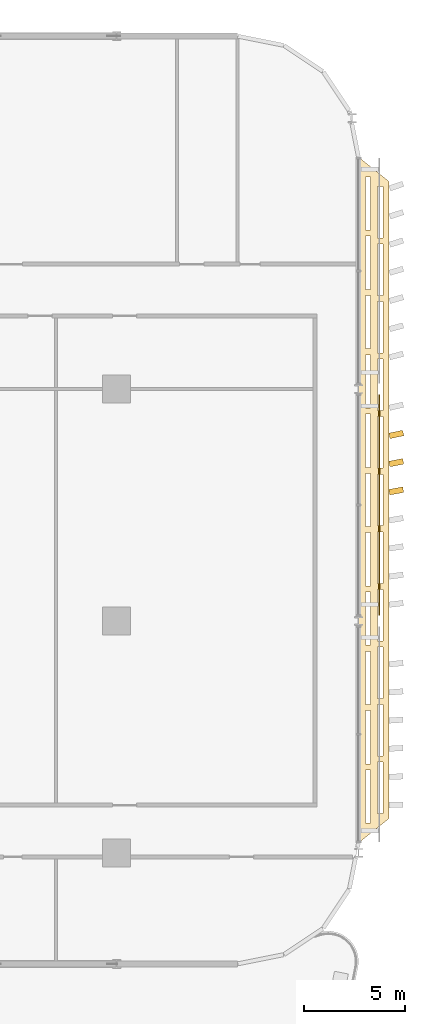
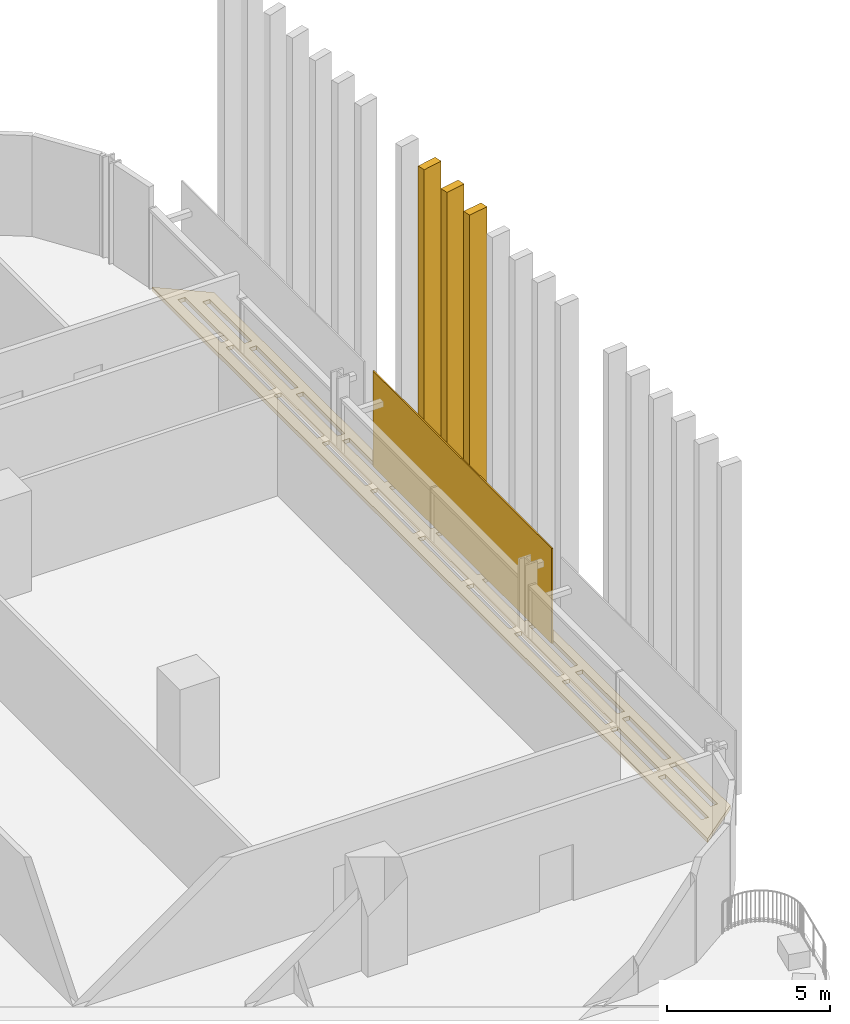
# One storey, part 29 of 31: 5 coverings.
"""IFC4 building model written with IfcOpenShell, lengths in metres."""

from ifc_helpers import new_model, si_unit, direction, frame, origin, origin_2d, place, context, subcontext, project, spatial, polyline, rectangle, outline, extrude, material, layer, layer_set, type_object, element, save


model = new_model("IFC4")

# Units and contexts
model_context = context("Model", 3, precision=1e-05, world=origin(), true_north=direction((0.0, 1.0)))
body_context = subcontext(model_context, "Body", "Model", "MODEL_VIEW")
ifc_project = project(units=[si_unit("LENGTHUNIT", "METRE"), si_unit("AREAUNIT", "SQUARE_METRE"), si_unit("VOLUMEUNIT", "CUBIC_METRE"), si_unit("PLANEANGLEUNIT", "RADIAN"), si_unit("MASSUNIT", "GRAM", prefix="KILO")], contexts=[model_context])

# Site, building, storey
site_placement = place(None, origin())
site = spatial("IfcSite", under=ifc_project, at=site_placement, CompositionType="ELEMENT")
building_placement = place(site_placement, origin())
building = spatial("IfcBuilding", under=site, at=building_placement, Name="Mahtab Terrace Research Tower", CompositionType="ELEMENT")
storey_placement = place(building_placement, frame((0.0, 0.0, 84.800048828125)))
storey = spatial("IfcBuildingStorey", under=building, at=storey_placement, Name="L19", CompositionType="ELEMENT", Elevation=84.800048828125)

# Coverings
ifc_material_1 = material(Name="Black anodised aluminium", Category="aluminium")
ifc_layer_1 = layer(ifc_material_1, 0.14990234375)
ifc_layer_set_1 = layer_set([ifc_layer_1], Name="Horizontal sunshade band")
covering_type_1 = type_object("IfcCoveringType", Name="Horizontal sunshade band", PredefinedType="CLADDING", material=ifc_layer_set_1)
covering_1_placement = place(storey_placement, frame((0.0, 0.0, -0.150146484375)))
element("IfcCovering", 1, at=covering_1_placement, inside=storey, type_object=covering_type_1, Name="Sunshade band L19 36", PredefinedType="CLADDING", context=body_context, shape_type="SweptSolid", body=[
    extrude(outline(polyline([(54.0, -11.0), (54.0, 23.0), (55.5, 21.800048828125), (55.5, -9.800048828125), (54.0, -11.0)]), holes=[polyline([(54.35009765625, -10.02001953125), (54.35009765625, -7.3798828125), (54.60009765625, -7.3798828125), (54.60009765625, -10.02001953125), (54.35009765625, -10.02001953125)]), polyline([(54.35009765625, -7.080078125), (54.35009765625, -4.43994140625), (54.60009765625, -4.43994140625), (54.60009765625, -7.080078125), (54.35009765625, -7.080078125)]), polyline([(54.35009765625, -4.139892578125), (54.35009765625, -1.5), (54.60009765625, -1.5), (54.60009765625, -4.139892578125), (54.35009765625, -4.139892578125)]), polyline([(54.35009765625, -1.199951171875), (54.35009765625, 1.43994140625), (54.60009765625, 1.43994140625), (54.60009765625, -1.199951171875), (54.35009765625, -1.199951171875)]), polyline([(54.35009765625, 1.739990234375), (54.35009765625, 4.3798828125), (54.60009765625, 4.3798828125), (54.60009765625, 1.739990234375), (54.35009765625, 1.739990234375)]), polyline([(54.35009765625, 4.679931640625), (54.35009765625, 7.320068359375), (54.60009765625, 7.320068359375), (54.60009765625, 4.679931640625), (54.35009765625, 4.679931640625)]), polyline([(54.35009765625, 7.6201171875), (54.35009765625, 10.260009765625), (54.60009765625, 10.260009765625), (54.60009765625, 7.6201171875), (54.35009765625, 7.6201171875)]), polyline([(54.35009765625, 10.56005859375), (54.35009765625, 13.199951171875), (54.60009765625, 13.199951171875), (54.60009765625, 10.56005859375), (54.35009765625, 10.56005859375)]), polyline([(54.35009765625, 13.5), (54.35009765625, 16.139892578125), (54.60009765625, 16.139892578125), (54.60009765625, 13.5), (54.35009765625, 13.5)]), polyline([(54.35009765625, 16.43994140625), (54.35009765625, 19.080078125), (54.60009765625, 19.080078125), (54.60009765625, 16.43994140625), (54.35009765625, 16.43994140625)]), polyline([(54.35009765625, 19.3798828125), (54.35009765625, 22.02001953125), (54.60009765625, 22.02001953125), (54.60009765625, 19.3798828125), (54.35009765625, 19.3798828125)]), polyline([(54.949951171875, -9.5400390625), (54.949951171875, -6.987060546875), (55.199951171875, -6.987060546875), (55.199951171875, -9.5400390625), (54.949951171875, -9.5400390625)]), polyline([(54.949951171875, -6.68701171875), (54.949951171875, -4.135009765625), (55.199951171875, -4.135009765625), (55.199951171875, -6.68701171875), (54.949951171875, -6.68701171875)]), polyline([(54.949951171875, -3.8349609375), (54.949951171875, -1.281982421875), (55.199951171875, -1.281982421875), (55.199951171875, -3.8349609375), (54.949951171875, -3.8349609375)]), polyline([(54.949951171875, -0.98193359375), (54.949951171875, 1.571044921875), (55.199951171875, 1.571044921875), (55.199951171875, -0.98193359375), (54.949951171875, -0.98193359375)]), polyline([(54.949951171875, 1.87109375), (54.949951171875, 4.424072265625), (55.199951171875, 4.424072265625), (55.199951171875, 1.87109375), (54.949951171875, 1.87109375)]), polyline([(54.949951171875, 4.72412109375), (54.949951171875, 7.27587890625), (55.199951171875, 7.27587890625), (55.199951171875, 4.72412109375), (54.949951171875, 4.72412109375)]), polyline([(54.949951171875, 7.575927734375), (54.949951171875, 10.12890625), (55.199951171875, 10.12890625), (55.199951171875, 7.575927734375), (54.949951171875, 7.575927734375)]), polyline([(54.949951171875, 10.428955078125), (54.949951171875, 12.98193359375), (55.199951171875, 12.98193359375), (55.199951171875, 10.428955078125), (54.949951171875, 10.428955078125)]), polyline([(54.949951171875, 13.281982421875), (54.949951171875, 15.8349609375), (55.199951171875, 15.8349609375), (55.199951171875, 13.281982421875), (54.949951171875, 13.281982421875)]), polyline([(54.949951171875, 16.135009765625), (54.949951171875, 18.68701171875), (55.199951171875, 18.68701171875), (55.199951171875, 16.135009765625), (54.949951171875, 16.135009765625)]), polyline([(54.949951171875, 18.987060546875), (54.949951171875, 21.5400390625), (55.199951171875, 21.5400390625), (55.199951171875, 18.987060546875), (54.949951171875, 18.987060546875)])]), origin(), (0.0, 0.0, 1.0), 0.150146484375),
])
ifc_material_2 = material(Name="Bronze anodised aluminium", Category="aluminium")
ifc_layer_2 = layer(ifc_material_2, 0.050048828125)
ifc_layer_set_2 = layer_set([ifc_layer_2], Name="Sky lounge girih screen panel")
covering_type_2 = type_object("IfcCoveringType", Name="Sky lounge girih screen panel", PredefinedType="CLADDING", material=ifc_layer_set_2)
covering_2_placement = place(storey_placement, frame((55.02490234375, 5.75, 0.099853515625), z_axis=(0.0, 0.0, 1.0), x_axis=(0.0, 1.0, 0.0)))
element("IfcCovering", 2, at=covering_2_placement, inside=storey, type_object=covering_type_2, Name="Girih screen L19 E38", PredefinedType="CLADDING", context=body_context, shape_type="SweptSolid", body=[
    extrude(rectangle(XDim=10.944091796875, YDim=0.050048828125, at=origin_2d()), origin(), (0.0, 0.0, 1.0), 3.56005859375),
])
ifc_layer_3 = layer(ifc_material_2, 0.1201171875)
ifc_layer_set_3 = layer_set([ifc_layer_3], Name="Vertical fin 700")
covering_type_3 = type_object("IfcCoveringType", Name="Vertical fin 700", PredefinedType="CLADDING", material=ifc_layer_set_3)
for number, where, z_axis, x_axis, name in (
    (3, (55.869384765625, 6.449951171875, -0.14990234375), (0.0, 0.0, 1.0), (-0.178196109459, 0.983994993165, 0.0), "Fin L19 E5"),
    (4, (55.870361328125, 7.85009765625, -0.14990234375), (0.0, 0.0, 1.0), (-0.192320470844, 0.981332174391, 0.0), "Fin L19 E6"),
    (5, (55.871337890625, 9.25, -0.14990234375), (0.0, 0.0, 1.0), (-0.206405101092, 0.97846662398, 0.0), "Fin L19 E7"),
):
    element("IfcCovering", number, at=place(storey_placement, frame(where, z_axis=z_axis, x_axis=x_axis)), inside=storey, type_object=covering_type_3, Name=name, PredefinedType="CLADDING", context=body_context, shape_type="SweptSolid", body=[
        extrude(rectangle(XDim=0.280029296875, YDim=0.699951171875, at=origin_2d()), origin(), (0.0, 0.0, 1.0), 12.449951171875),
    ])

save(model, "model.ifc")
